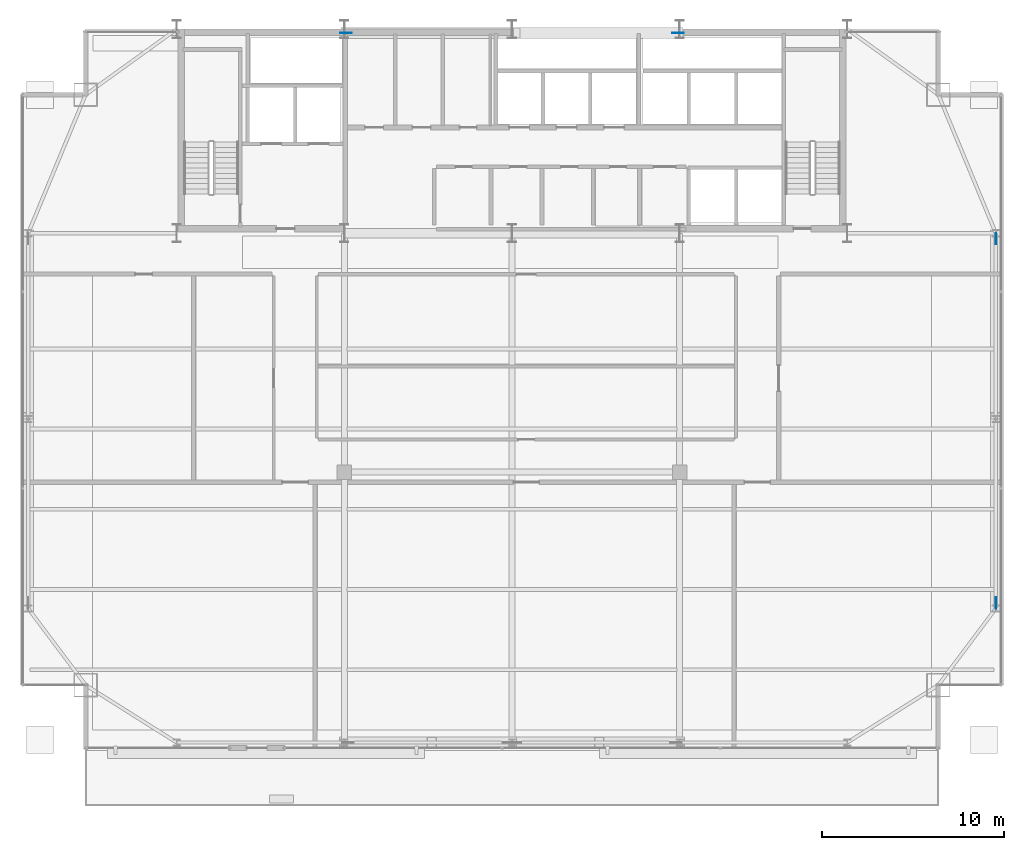
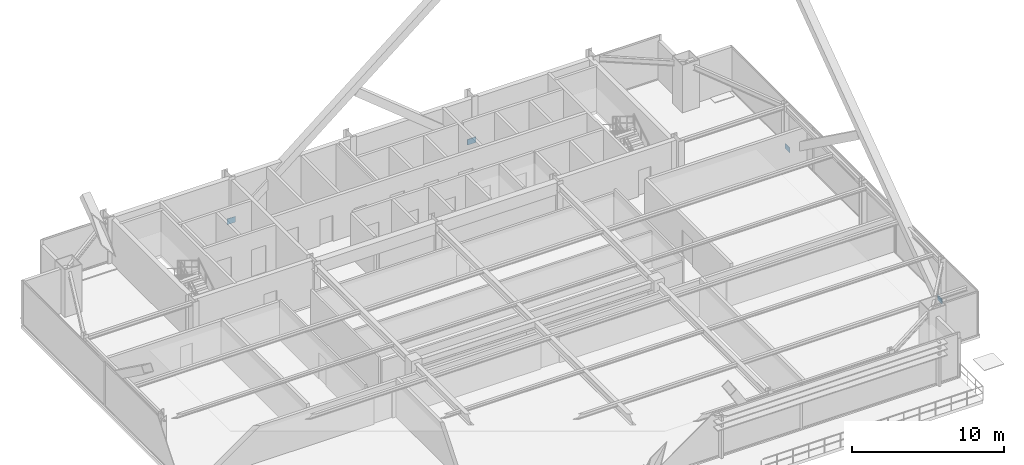
# One storey, part 28 of 33: 4 plates.
"""IFC4 building model written with IfcOpenShell, lengths in metres."""

from ifc_helpers import new_model, si_unit, direction, frame, origin, origin_2d, place, context, subcontext, project, spatial, rectangle, extrude, source, transform, mapped, material, layer, layer_set, type_object, type_shapes, element, save


model = new_model("IFC4")

# Units and contexts
model_context = context("Model", 3, precision=1e-05, world=origin(), true_north=direction((0.0, 1.0)))
body_context = subcontext(model_context, "Body", "Model", "MODEL_VIEW")
ifc_project = project(units=[si_unit("LENGTHUNIT", "METRE"), si_unit("AREAUNIT", "SQUARE_METRE"), si_unit("VOLUMEUNIT", "CUBIC_METRE"), si_unit("PLANEANGLEUNIT", "RADIAN"), si_unit("MASSUNIT", "GRAM", prefix="KILO")], contexts=[model_context])

# Site, building, storey
site_placement = place(None, origin())
site = spatial("IfcSite", under=ifc_project, at=site_placement, CompositionType="ELEMENT")
building_placement = place(site_placement, origin())
building = spatial("IfcBuilding", under=site, at=building_placement, Name="Varnel Quay Broadcast Tower", CompositionType="ELEMENT")
storey_placement = place(building_placement, frame((0.0, 0.0, 145.800048828125)))
storey = spatial("IfcBuildingStorey", under=building, at=storey_placement, Name="L35", CompositionType="ELEMENT", Elevation=145.800048828125)

# Plates
ifc_material = material(Name="Structural Steel CSA G40.21 350WT", Category="steel")
ifc_layer_1 = layer(ifc_material, 0.0400390625, Name="Structural Steel CSA G40.21 350WT")
ifc_layer_set_1 = layer_set([ifc_layer_1], Name="Structural Steel CSA G40.21 350WT")
plate_type_1 = type_object("IfcPlateType", Name="Plate_EmbedPlate", PredefinedType="USERDEFINED", material=ifc_layer_set_1)
shared_shape_1 = source(origin(), body_context, "Body", "SweptSolid", [
    extrude(rectangle(XDim=0.639892578125, YDim=0.0400390625, at=origin_2d()), origin(), (0.0, 0.0, 1.0), 0.449951171875),
])
type_shapes(plate_type_1, [shared_shape_1])
for number, where, z_axis, x_axis, name in (
    (1, (24.893310546875, 46.580078125, -0.12939453125), (0.0, 0.0, 1.0), (1.0, 0.0, 0.0), "Zone 3 Mega-Brace N-CT1 Diag A Wall Cast-In Embed Plate P0"),
    (2, (43.106689453125, 46.580078125, -0.12939453125), (0.0, 0.0, 1.0), (1.0, 0.0, 0.0), "Zone 3 Mega-Brace N-CT1 Diag B1 Wall Cast-In Embed Plate P0"),
):
    element("IfcPlate", number, at=place(storey_placement, frame(where, z_axis=z_axis, x_axis=x_axis)), inside=storey, type_object=plate_type_1, Name=name, ObjectType="EMBED_PLATE", PredefinedType="USERDEFINED", context=body_context, shape_type="MappedRepresentation", body=[
        mapped(shared_shape_1, transform((0.0, 0.0, 0.0), x_axis=(1.0, 0.0, 0.0), y_axis=(0.0, 1.0, 0.0), z_axis=(0.0, 0.0, 1.0), scale=1.0)),
    ])
ifc_layer_2 = layer(ifc_material, 0.031982421875, Name="Structural Steel CSA G40.21 350WT")
ifc_layer_set_2 = layer_set([ifc_layer_2], Name="Structural Steel CSA G40.21 350WT")
plate_type_2 = type_object("IfcPlateType", Name="Plate_EndCap", PredefinedType="USERDEFINED", material=ifc_layer_set_2)
shared_shape_2 = source(origin(), body_context, "Body", "SweptSolid", [
    extrude(rectangle(XDim=0.6201171875, YDim=0.031982421875, at=origin_2d()), origin(), (0.0, 0.0, 1.0), 0.3798828125),
])
type_shapes(plate_type_2, [shared_shape_2])
for number, where, z_axis, x_axis, name in (
    (3, (60.550048828125, 15.307861328125, 0.052734375), (0.0, 0.0, 1.0), (0.0, 1.0, 0.0), "Zone 3 Mega-Brace E-FT1 Diag A End Connection Plate P0"),
    (4, (60.550048828125, 35.292236328125, 0.052734375), (0.0, 0.0, 1.0), (0.0, 1.0, 0.0), "Zone 3 Mega-Brace E-FT1 Diag B1 End Connection Plate P0"),
):
    element("IfcPlate", number, at=place(storey_placement, frame(where, z_axis=z_axis, x_axis=x_axis)), inside=storey, type_object=plate_type_2, Name=name, ObjectType="CAP_PLATE", PredefinedType="USERDEFINED", context=body_context, shape_type="MappedRepresentation", body=[
        mapped(shared_shape_2, transform((0.0, 0.0, 0.0), x_axis=(1.0, 0.0, 0.0), y_axis=(0.0, 1.0, 0.0), z_axis=(0.0, 0.0, 1.0), scale=1.0)),
    ])

save(model, "model.ifc")
